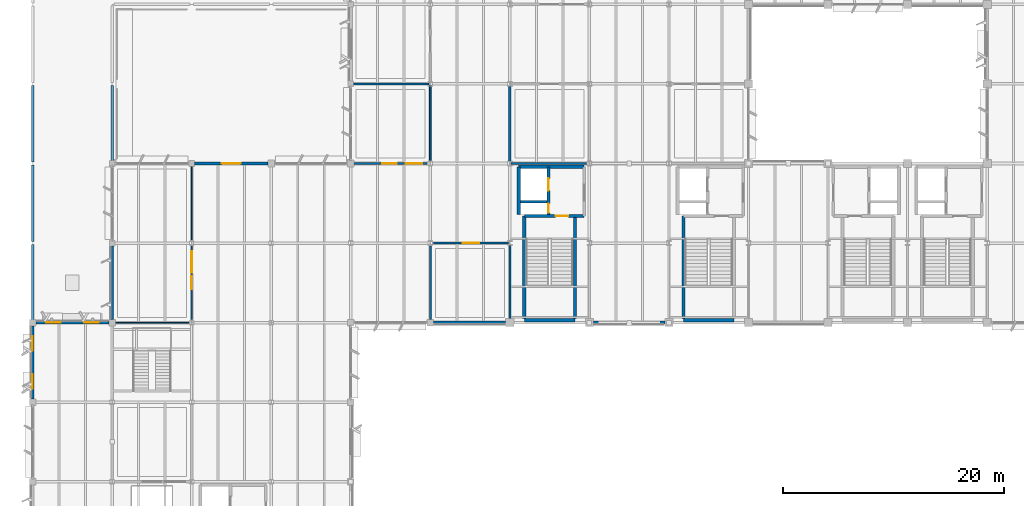
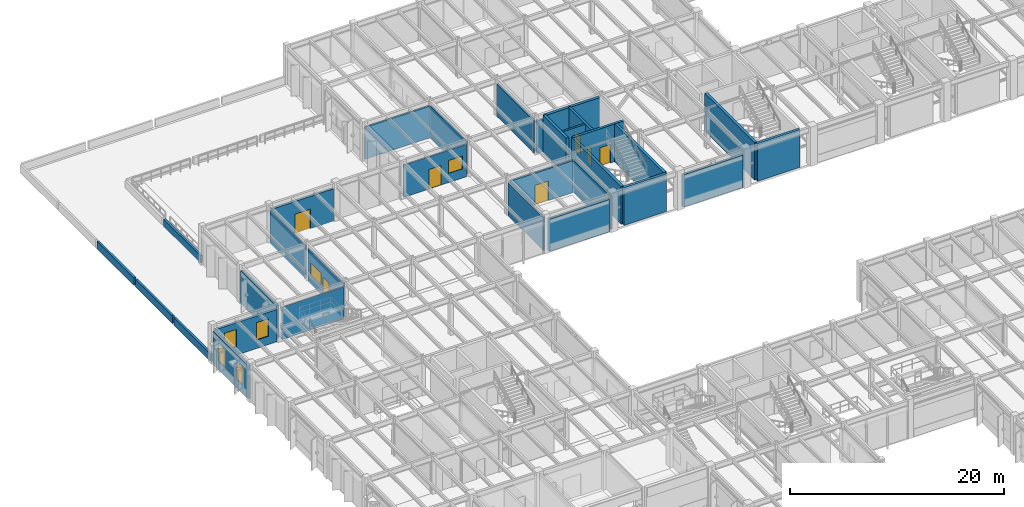
# One storey, part 38 of 92: 31 walls, 7 doors, 6 windows, 13 openings.
"""IFC4 building model written with IfcOpenShell, lengths in metres."""

from ifc_helpers import new_model, si_unit, direction, frame, frame_2d, origin, place, context, subcontext, project, spatial, rectangle, extrude, material, layer, layer_set, type_object, element, fill, save


model = new_model("IFC4")

# Units and contexts
model_context = context("Model", 3, precision=1e-05, world=origin(), true_north=direction((0.0, 1.0)))
body_context = subcontext(model_context, "Body", "Model", "MODEL_VIEW")
ifc_project = project(units=[si_unit("LENGTHUNIT", "METRE"), si_unit("AREAUNIT", "SQUARE_METRE"), si_unit("VOLUMEUNIT", "CUBIC_METRE"), si_unit("PLANEANGLEUNIT", "RADIAN"), si_unit("MASSUNIT", "GRAM", prefix="KILO")], contexts=[model_context])

# Site, building, storey
site_placement = place(None, origin())
site = spatial("IfcSite", under=ifc_project, at=site_placement, CompositionType="ELEMENT")
building_placement = place(site_placement, origin())
building = spatial("IfcBuilding", under=site, at=building_placement, Name="Sillqori Civic Hall", CompositionType="ELEMENT")
storey_placement = place(building_placement, frame((0.0, 0.0, 5.39990234375)))
storey = spatial("IfcBuildingStorey", under=building, at=storey_placement, Name="L02", CompositionType="ELEMENT", Elevation=5.39990234375)

# Wall
ifc_material_1 = material(Name="Concrete C35/45 (H35)", Category="concrete")
ifc_layer_1 = layer(ifc_material_1, 0.219970703125)
ifc_layer_set_1 = layer_set([ifc_layer_1], Name="Concrete C35/45 (H35)")
wall_type_1 = type_object("IfcWallType", Name="CW-SHR-220", PredefinedType="SHEAR", material=ifc_layer_set_1)
wall_1_placement = place(storey_placement, frame((51.35009765625, 90.14990234375, 0.0), z_axis=(0.0, 0.0, 1.0), x_axis=(1.0, 0.0, 0.0)))
element("IfcWall", 1, at=wall_1_placement, inside=storey, type_object=wall_type_1, Name="L02 C5 Lift-riser divider wall", PredefinedType="SHEAR", context=body_context, shape_type="SweptSolid", body=[
    extrude(rectangle(XDim=2.39990234375, YDim=0.219970703125, at=frame_2d((1.199951171875, 0.0))), origin(), (0.0, 0.0, 1.0), 4.300048828125),
])

# Wall, opening, door
ifc_layer_2 = layer(ifc_material_1, 0.260009765625)
ifc_layer_set_2 = layer_set([ifc_layer_2], Name="Concrete C35/45 (H35)")
wall_type_2 = type_object("IfcWallType", Name="CW-SHR-260", PredefinedType="SHEAR", material=ifc_layer_set_2)
wall_2_placement = place(storey_placement, frame((51.7099609375, 88.85009765625, 0.0), z_axis=(0.0, 0.0, 1.0), x_axis=(1.0, 0.0, 0.0)))
wall_2 = element("IfcWall", 2, at=wall_2_placement, inside=storey, type_object=wall_type_2, Name="L02 C5 Stair-lobby fire wall", PredefinedType="SHEAR", context=body_context, shape_type="SweptSolid", body=[
    extrude(rectangle(XDim=5.41015625, YDim=0.260009765625, at=frame_2d((2.705078125, 0.0))), origin(), (0.0, 0.0, 1.0), 4.300048828125),
])
opening_1_placement = place(wall_2_placement, frame((2.840087890625, 0.0, 0.0)))
opening_1 = element("IfcOpeningElement", 3, at=opening_1_placement, cuts=wall_2, Name="Opening FD-01", PredefinedType="OPENING", context=body_context, shape_type="SweptSolid", body=[
    extrude(rectangle(XDim=1.14990234375, YDim=2.14990234375, at=frame_2d((0.574951171875, 1.074951171875))), frame((0.0, 0.139892578125, 0.0), z_axis=(0.0, -1.0, 0.0), x_axis=(1.0, 0.0, 0.0)), (0.0, 0.0, 1.0), 0.280029296875),
])
ifc_material_2 = material(Name="Galvanized Steel Fire Door FD90S", Category="steel")
door_type_1 = type_object("IfcDoorType", Name="FDR-STR-115X215", OperationType="NOTDEFINED", PredefinedType="DOOR", material=ifc_material_2)
door_1_placement = place(opening_1_placement, origin())
door_1 = element("IfcDoor", 4, at=door_1_placement, inside=storey, type_object=door_type_1, Name="L02 stair ST-05 fire door", OperationType="SINGLE_SWING_RIGHT", OverallHeight=2.14990234375, OverallWidth=1.14990234375, PredefinedType="DOOR", context=body_context, shape_type="SweptSolid", body=[
    extrude(rectangle(XDim=1.14990234375, YDim=2.14990234375, at=frame_2d((0.574951171875, 1.074951171875))), frame((0.0, 0.02490234375, 0.0), z_axis=(0.0, -1.0, 0.0), x_axis=(1.0, 0.0, 0.0)), (0.0, 0.0, 1.0), 0.050048828125),
])
fill(opening_1, door_1)

# Wall, openings, doors
wall_3_placement = place(storey_placement, frame((53.89990234375, 93.300048828125, 0.0), z_axis=(0.0, 0.0, 1.0), x_axis=(0.0, -1.0, 0.0)))
wall_3 = element("IfcWall", 5, at=wall_3_placement, inside=storey, type_object=wall_type_2, Name="L02 C5 Lift landing & riser front wall", PredefinedType="SHEAR", context=body_context, shape_type="SweptSolid", body=[
    extrude(rectangle(XDim=4.320068359375, YDim=0.260009765625, at=frame_2d((2.16015625, 0.0))), origin(), (0.0, 0.0, 1.0), 4.300048828125),
])
opening_2_placement = place(wall_3_placement, frame((1.050048828125, 0.0, 0.0)))
opening_2 = element("IfcOpeningElement", 6, at=opening_2_placement, cuts=wall_3, Name="Opening LD-01", PredefinedType="OPENING", context=body_context, shape_type="SweptSolid", body=[
    extrude(rectangle(XDim=1.10009765625, YDim=2.14990234375, at=frame_2d((0.550048828125, 1.074951171875))), frame((0.0, 0.139892578125, 0.0), z_axis=(0.0, -1.0, 0.0), x_axis=(1.0, 0.0, 0.0)), (0.0, 0.0, 1.0), 0.280029296875),
])
opening_3_placement = place(wall_3_placement, frame((3.324951171875, 0.0, 0.0)))
opening_3 = element("IfcOpeningElement", 7, at=opening_3_placement, cuts=wall_3, Name="Opening FD-05", PredefinedType="OPENING", context=body_context, shape_type="SweptSolid", body=[
    extrude(rectangle(XDim=0.85009765625, YDim=2.050048828125, at=frame_2d((0.425048828125, 1.02490234375))), frame((0.0, 0.139892578125, 0.0), z_axis=(0.0, -1.0, 0.0), x_axis=(1.0, 0.0, 0.0)), (0.0, 0.0, 1.0), 0.280029296875),
])
ifc_material_3 = material(Name="Steel Riser Access Fire Door", Category="steel")
door_type_2 = type_object("IfcDoorType", Name="FDR-RSR-085X205", OperationType="NOTDEFINED", PredefinedType="DOOR", material=ifc_material_3)
door_2_placement = place(opening_3_placement, origin())
door_2 = element("IfcDoor", 8, at=door_2_placement, inside=storey, type_object=door_type_2, Name="L02 MEP riser C5 fire access door", OperationType="SINGLE_SWING_LEFT", OverallHeight=2.050048828125, OverallWidth=0.85009765625, PredefinedType="DOOR", context=body_context, shape_type="SweptSolid", body=[
    extrude(rectangle(XDim=0.85009765625, YDim=2.050048828125, at=frame_2d((0.425048828125, 1.02490234375))), frame((0.0, 0.02490234375, 0.0), z_axis=(0.0, -1.0, 0.0), x_axis=(1.0, 0.0, 0.0)), (0.0, 0.0, 1.0), 0.050048828125),
])
fill(opening_3, door_2)
ifc_material_4 = material(Name="Stainless Steel Lift Landing Door", Category="steel")
door_type_3 = type_object("IfcDoorType", Name="LDR-PASS-110X215", OperationType="NOTDEFINED", PredefinedType="DOOR", material=ifc_material_4)
door_3_placement = place(opening_2_placement, origin())
door_3 = element("IfcDoor", 9, at=door_3_placement, inside=storey, type_object=door_type_3, Name="L02 lift LF-03 sliding landing door", OperationType="DOUBLE_DOOR_SLIDING", OverallHeight=2.14990234375, OverallWidth=1.10009765625, PredefinedType="DOOR", context=body_context, shape_type="SweptSolid", body=[
    extrude(rectangle(XDim=1.10009765625, YDim=2.14990234375, at=frame_2d((0.550048828125, 1.074951171875))), frame((0.0, 0.02490234375, 0.0), z_axis=(0.0, -1.0, 0.0), x_axis=(1.0, 0.0, 0.0)), (0.0, 0.0, 1.0), 0.050048828125),
])
fill(opening_2, door_3)

# Walls
ifc_layer_3 = layer(ifc_material_1, 0.300048828125)
ifc_layer_set_3 = layer_set([ifc_layer_3], Name="Concrete C35/45 (H35)")
wall_type_3 = type_object("IfcWallType", Name="CW-SHR-300", PredefinedType="SHEAR", material=ifc_layer_set_3)
wall_4_placement = place(storey_placement, frame((51.7099609375, 79.39990234375, 0.0), z_axis=(0.0, 0.0, 1.0), x_axis=(1.0, 0.0, 0.0)))
element("IfcWall", 10, at=wall_4_placement, inside=storey, type_object=wall_type_3, Name="L02 C5 Stair south shear wall", PredefinedType="SHEAR", context=body_context, shape_type="SweptSolid", body=[
    extrude(rectangle(XDim=4.580078125, YDim=0.300048828125, at=frame_2d((2.2900390625, 0.0))), origin(), (0.0, 0.0, 1.0), 4.300048828125),
])
for number, where, z_axis, x_axis, name in (
    (11, (51.7099609375, 79.550048828125, 0.0), (0.0, 0.0, 1.0), (0.0, 1.0, 0.0), "L02 C5 Stair west shear wall"),
    (12, (56.2900390625, 79.550048828125, 0.0), (0.0, 0.0, 1.0), (0.0, 1.0, 0.0), "L02 C5 Stair east shear wall"),
):
    element("IfcWall", number, at=place(storey_placement, frame(where, z_axis=z_axis, x_axis=x_axis)), inside=storey, type_object=wall_type_3, Name=name, PredefinedType="SHEAR", context=body_context, shape_type="SweptSolid", body=[
        extrude(rectangle(XDim=9.300048828125, YDim=0.300048828125, at=frame_2d((4.64990234375, 0.0))), origin(), (0.0, 0.0, 1.0), 4.300048828125),
    ])
wall_5_placement = place(storey_placement, frame((51.199951171875, 88.97998046875, 0.0), z_axis=(0.0, 0.0, 1.0), x_axis=(0.0, 1.0, 0.0)))
element("IfcWall", 13, at=wall_5_placement, inside=storey, type_object=wall_type_3, Name="L02 C5 Lift shaft west shear wall", PredefinedType="SHEAR", context=body_context, shape_type="SweptSolid", body=[
    extrude(rectangle(XDim=4.320068359375, YDim=0.300048828125, at=frame_2d((2.16015625, 0.0))), origin(), (0.0, 0.0, 1.0), 4.300048828125),
])
wall_6_placement = place(storey_placement, frame((51.199951171875, 93.300048828125, 0.0), z_axis=(0.0, 0.0, 1.0), x_axis=(1.0, 0.0, 0.0)))
element("IfcWall", 14, at=wall_6_placement, inside=storey, type_object=wall_type_3, Name="L02 C5 Core north shear wall", PredefinedType="SHEAR", context=body_context, shape_type="SweptSolid", body=[
    extrude(rectangle(XDim=5.920166015625, YDim=0.300048828125, at=frame_2d((2.9599609375, 0.0))), origin(), (0.0, 0.0, 1.0), 4.300048828125),
])
wall_7_placement = place(storey_placement, frame((66.110107421875, 79.39990234375, 0.0), z_axis=(0.0, 0.0, 1.0), x_axis=(1.0, 0.0, 0.0)))
element("IfcWall", 15, at=wall_7_placement, inside=storey, type_object=wall_type_3, Name="L02 C6 Stair south shear wall", PredefinedType="SHEAR", context=body_context, shape_type="SweptSolid", body=[
    extrude(rectangle(XDim=4.579833984375, YDim=0.300048828125, at=frame_2d((2.2900390625, 0.0))), origin(), (0.0, 0.0, 1.0), 4.300048828125),
])
wall_8_placement = place(storey_placement, frame((66.110107421875, 79.550048828125, 0.0), z_axis=(0.0, 0.0, 1.0), x_axis=(0.0, 1.0, 0.0)))
element("IfcWall", 16, at=wall_8_placement, inside=storey, type_object=wall_type_3, Name="L02 C6 Stair west shear wall", PredefinedType="SHEAR", context=body_context, shape_type="SweptSolid", body=[
    extrude(rectangle(XDim=9.300048828125, YDim=0.300048828125, at=frame_2d((4.64990234375, 0.0))), origin(), (0.0, 0.0, 1.0), 4.300048828125),
])
ifc_material_5 = material(Name="Precast concrete C40/50 (H40)", Category="concrete")
ifc_layer_4 = layer(ifc_material_5, 0.280029296875)
ifc_layer_set_4 = layer_set([ifc_layer_4], Name="Precast concrete C40/50 (H40)")
wall_type_4 = type_object("IfcWallType", Name="EW-LIME-280", PredefinedType="SOLIDWALL", material=ifc_layer_set_4)
wall_9_placement = place(storey_placement, frame((14.39990234375, 79.5, 0.0), z_axis=(0.0, 0.0, 1.0), x_axis=(0.0, 1.0, 0.0)))
element("IfcWall", 17, at=wall_9_placement, inside=storey, type_object=wall_type_4, Name="L02 V4 exterior wall L02-02-11-W", PredefinedType="SOLIDWALL", context=body_context, shape_type="SweptSolid", body=[
    extrude(rectangle(XDim=6.64990234375, YDim=0.280029296875, at=frame_2d((3.324951171875, 0.0))), origin(), (0.0, 0.0, 1.0), 3.76708984375),
])

# Wall, opening, door
wall_10_placement = place(storey_placement, frame((21.85009765625, 93.60009765625, 0.0), z_axis=(0.0, 0.0, 1.0), x_axis=(1.0, 0.0, 0.0)))
wall_10 = element("IfcWall", 18, at=wall_10_placement, inside=storey, type_object=wall_type_4, Name="L02 V4 exterior wall L02-03-12-N", PredefinedType="SOLIDWALL", context=body_context, shape_type="SweptSolid", body=[
    extrude(rectangle(XDim=6.64990234375, YDim=0.280029296875, at=frame_2d((3.324951171875, 0.0))), origin(), (0.0, 0.0, 1.0), 3.697998046875),
])
opening_4_placement = place(wall_10_placement, frame((2.47509765625, 0.0, 0.0)))
opening_4 = element("IfcOpeningElement", 19, at=opening_4_placement, cuts=wall_10, Name="Opening ED-07", PredefinedType="OPENING", context=body_context, shape_type="SweptSolid", body=[
    extrude(rectangle(XDim=1.699951171875, YDim=2.25, at=frame_2d((0.85009765625, 1.125))), frame((0.0, 0.14990234375, 0.0), z_axis=(0.0, -1.0, 0.0), x_axis=(1.0, 0.0, 0.0)), (0.0, 0.0, 1.0), 0.300048828125),
])
ifc_material_6 = material(Name="Thermally Broken Anodized Aluminium and Laminated Glass", Category="aluminium")
door_type_4 = type_object("IfcDoorType", Name="EDR-TERR-170X225", OperationType="NOTDEFINED", PredefinedType="DOOR", material=ifc_material_6)
door_4_placement = place(opening_4_placement, origin())
door_4 = element("IfcDoor", 20, at=door_4_placement, inside=storey, type_object=door_type_4, Name="North-West Piedmont Planted Terrace Access Door", OperationType="DOUBLE_DOOR_SINGLE_SWING", OverallHeight=2.25, OverallWidth=1.699951171875, PredefinedType="DOOR", context=body_context, shape_type="SweptSolid", body=[
    extrude(rectangle(XDim=1.699951171875, YDim=2.25, at=frame_2d((0.85009765625, 1.125))), frame((0.0, 0.02490234375, 0.0), z_axis=(0.0, -1.0, 0.0), x_axis=(1.0, 0.0, 0.0)), (0.0, 0.0, 1.0), 0.050048828125),
])
fill(opening_4, door_4)

# Walls
wall_11_placement = place(storey_placement, frame((50.02490234375, 79.199951171875, 0.0), z_axis=(0.0, 0.0, 1.0), x_axis=(-1.0, 0.0, 0.0)))
element("IfcWall", 21, at=wall_11_placement, inside=storey, type_object=wall_type_4, Name="L02 V4 exterior wall L02-06-11-S", PredefinedType="SOLIDWALL", context=body_context, shape_type="SweptSolid", body=[
    extrude(rectangle(XDim=6.52490234375, YDim=0.280029296875, at=frame_2d((3.262451171875, 0.0))), origin(), (0.0, 0.0, 1.0), 3.697998046875),
])
wall_12_placement = place(storey_placement, frame((64.425048828125, 79.199951171875, 0.0), z_axis=(0.0, 0.0, 1.0), x_axis=(-1.0, 0.0, 0.0)))
element("IfcWall", 22, at=wall_12_placement, inside=storey, type_object=wall_type_4, Name="L02 V4 exterior wall L02-08-11-S", PredefinedType="SOLIDWALL", context=body_context, shape_type="SweptSolid", body=[
    extrude(rectangle(XDim=6.449951171875, YDim=0.280029296875, at=frame_2d((3.22509765625, 0.0))), origin(), (0.0, 0.0, 1.0), 3.697998046875),
])

# Wall, openings, windows
ifc_material_7 = material(Name="Concrete C30/37 (H30)", Category="concrete")
ifc_layer_5 = layer(ifc_material_7, 0.260009765625)
ifc_layer_set_5 = layer_set([ifc_layer_5], Name="Concrete C30/37 (H30)")
wall_type_5 = type_object("IfcWallType", Name="EW-MAS-260", PredefinedType="SOLIDWALL", material=ifc_layer_set_5)
wall_13_placement = place(storey_placement, frame((7.5, 79.199951171875, 0.0), z_axis=(0.0, 0.0, 1.0), x_axis=(1.0, 0.0, 0.0)))
wall_13 = element("IfcWall", 23, at=wall_13_placement, inside=storey, type_object=wall_type_5, Name="L02 V5 exterior wall L02-01-10-N", PredefinedType="SOLIDWALL", context=body_context, shape_type="SweptSolid", body=[
    extrude(rectangle(XDim=6.60009765625, YDim=0.260009765625, at=frame_2d((3.300048828125, 0.0))), origin(), (0.0, 0.0, 1.0), 3.697998046875),
])
opening_5_placement = place(wall_13_placement, frame((0.93408203125, 0.0, 0.949951171875)))
opening_5 = element("IfcOpeningElement", 24, at=opening_5_placement, cuts=wall_13, Name="Opening W-10", PredefinedType="OPENING", context=body_context, shape_type="SweptSolid", body=[
    extrude(rectangle(XDim=1.300048828125, YDim=2.0, at=frame_2d((0.64990234375, 1.0))), frame((0.0, 0.139892578125, 0.0), z_axis=(0.0, -1.0, 0.0), x_axis=(1.0, 0.0, 0.0)), (0.0, 0.0, 1.0), 0.280029296875),
])
opening_6_placement = place(wall_13_placement, frame((4.365966796875, 0.0, 0.949951171875)))
opening_6 = element("IfcOpeningElement", 25, at=opening_6_placement, cuts=wall_13, Name="Opening W-10", PredefinedType="OPENING", context=body_context, shape_type="SweptSolid", body=[
    extrude(rectangle(XDim=1.300048828125, YDim=2.0, at=frame_2d((0.64990234375, 1.0))), frame((0.0, 0.139892578125, 0.0), z_axis=(0.0, -1.0, 0.0), x_axis=(1.0, 0.0, 0.0)), (0.0, 0.0, 1.0), 0.280029296875),
])
ifc_material_8 = material(Name="Thermally Broken Aluminium Low-E Window", Category="aluminium")
window_type_1 = type_object("IfcWindowType", Name="WIN-V3-130X200", PartitioningType="SINGLE_PANEL", PredefinedType="WINDOW", material=ifc_material_8)
window_1_placement = place(opening_5_placement, origin())
window_1 = element("IfcWindow", 26, at=window_1_placement, inside=storey, type_object=window_type_1, Name="L02 V5 window L02-01-10-N.1", OverallHeight=2.0, OverallWidth=1.300048828125, PartitioningType="SINGLE_PANEL", PredefinedType="WINDOW", context=body_context, shape_type="SweptSolid", body=[
    extrude(rectangle(XDim=1.300048828125, YDim=2.0, at=frame_2d((0.64990234375, 1.0))), frame((0.0, 0.030029296875, 0.0), z_axis=(0.0, -1.0, 0.0), x_axis=(1.0, 0.0, 0.0)), (0.0, 0.0, 1.0), 0.06005859375),
])
fill(opening_5, window_1)
window_2_placement = place(opening_6_placement, origin())
window_2 = element("IfcWindow", 27, at=window_2_placement, inside=storey, type_object=window_type_1, Name="L02 V5 window L02-01-10-N.2", OverallHeight=2.0, OverallWidth=1.300048828125, PartitioningType="SINGLE_PANEL", PredefinedType="WINDOW", context=body_context, shape_type="SweptSolid", body=[
    extrude(rectangle(XDim=1.300048828125, YDim=2.0, at=frame_2d((0.64990234375, 1.0))), frame((0.0, 0.030029296875, 0.0), z_axis=(0.0, -1.0, 0.0), x_axis=(1.0, 0.0, 0.0)), (0.0, 0.0, 1.0), 0.06005859375),
])
fill(opening_6, window_2)

wall_14_placement = place(storey_placement, frame((7.199951171875, 72.300048828125, 0.0), z_axis=(0.0, 0.0, 1.0), x_axis=(0.0, 1.0, 0.0)))
wall_14 = element("IfcWall", 28, at=wall_14_placement, inside=storey, type_object=wall_type_5, Name="L02 V5 exterior wall L02-01-10-W", PredefinedType="SOLIDWALL", context=body_context, shape_type="SweptSolid", body=[
    extrude(rectangle(XDim=6.599853515625, YDim=0.260009765625, at=frame_2d((3.2998046875, 0.0))), origin(), (0.0, 0.0, 1.0), 3.76708984375),
])
opening_7_placement = place(wall_14_placement, frame((0.93408203125, 0.0, 0.949951171875)))
opening_7 = element("IfcOpeningElement", 29, at=opening_7_placement, cuts=wall_14, Name="Opening W-10", PredefinedType="OPENING", context=body_context, shape_type="SweptSolid", body=[
    extrude(rectangle(XDim=1.300048828125, YDim=2.0, at=frame_2d((0.64990234375, 1.0))), frame((0.0, 0.139892578125, 0.0), z_axis=(0.0, -1.0, 0.0), x_axis=(1.0, 0.0, 0.0)), (0.0, 0.0, 1.0), 0.280029296875),
])
opening_8_placement = place(wall_14_placement, frame((4.365966796875, 0.0, 0.949951171875)))
opening_8 = element("IfcOpeningElement", 30, at=opening_8_placement, cuts=wall_14, Name="Opening W-10", PredefinedType="OPENING", context=body_context, shape_type="SweptSolid", body=[
    extrude(rectangle(XDim=1.300048828125, YDim=2.0, at=frame_2d((0.64990234375, 1.0))), frame((0.0, 0.139892578125, 0.0), z_axis=(0.0, -1.0, 0.0), x_axis=(1.0, 0.0, 0.0)), (0.0, 0.0, 1.0), 0.280029296875),
])
window_3_placement = place(opening_7_placement, origin())
window_3 = element("IfcWindow", 31, at=window_3_placement, inside=storey, type_object=window_type_1, Name="L02 V5 window L02-01-10-W.1", OverallHeight=2.0, OverallWidth=1.300048828125, PartitioningType="SINGLE_PANEL", PredefinedType="WINDOW", context=body_context, shape_type="SweptSolid", body=[
    extrude(rectangle(XDim=1.300048828125, YDim=2.0, at=frame_2d((0.64990234375, 1.0))), frame((0.0, 0.030029296875, 0.0), z_axis=(0.0, -1.0, 0.0), x_axis=(1.0, 0.0, 0.0)), (0.0, 0.0, 1.0), 0.06005859375),
])
fill(opening_7, window_3)
window_4_placement = place(opening_8_placement, origin())
window_4 = element("IfcWindow", 32, at=window_4_placement, inside=storey, type_object=window_type_1, Name="L02 V5 window L02-01-10-W.2", OverallHeight=2.0, OverallWidth=1.300048828125, PartitioningType="SINGLE_PANEL", PredefinedType="WINDOW", context=body_context, shape_type="SweptSolid", body=[
    extrude(rectangle(XDim=1.300048828125, YDim=2.0, at=frame_2d((0.64990234375, 1.0))), frame((0.0, 0.030029296875, 0.0), z_axis=(0.0, -1.0, 0.0), x_axis=(1.0, 0.0, 0.0)), (0.0, 0.0, 1.0), 0.06005859375),
])
fill(opening_8, window_4)

# Walls
ifc_material_9 = material(Name="Acoustic Steel-Stud Gypsum Partition 100", Category="steel")
ifc_layer_6 = layer(ifc_material_9, 0.10009765625)
ifc_layer_set_6 = layer_set([ifc_layer_6], Name="Acoustic Steel-Stud Gypsum Partition 100")
wall_type_6 = type_object("IfcWallType", Name="PT-GYP-100", PredefinedType="PARTITIONING", material=ifc_layer_set_6)
wall_15_placement = place(storey_placement, frame((21.60009765625, 93.320068359375, 0.0), z_axis=(0.0, 0.0, 1.0), x_axis=(0.0, -1.0, 0.0)))
element("IfcWall", 33, at=wall_15_placement, inside=storey, type_object=wall_type_6, Name="Urban Mobility and Transport Directorate partition E2", PredefinedType="PARTITIONING", context=body_context, shape_type="SweptSolid", body=[
    extrude(rectangle(XDim=6.64013671875, YDim=0.10009765625, at=frame_2d((3.320068359375, 0.0))), origin(), (0.0, 0.0, 1.0), 3.757080078125),
])
wall_16_placement = place(storey_placement, frame((21.320068359375, 79.199951171875, 0.0), z_axis=(0.0, 0.0, 1.0), x_axis=(-1.0, 0.0, 0.0)))
element("IfcWall", 34, at=wall_16_placement, inside=storey, type_object=wall_type_6, Name="Urban Mobility and Transport Directorate partition S3", PredefinedType="PARTITIONING", context=body_context, shape_type="SweptSolid", body=[
    extrude(rectangle(XDim=6.64013671875, YDim=0.10009765625, at=frame_2d((3.320068359375, 0.0))), origin(), (0.0, 0.0, 1.0), 3.68798828125),
])

# Wall, openings, door, window
ifc_material_10 = material(Name="Corridor Fire-Rated Partition 150", Category="gypsum")
ifc_layer_7 = layer(ifc_material_10, 0.14990234375)
ifc_layer_set_7 = layer_set([ifc_layer_7], Name="Corridor Fire-Rated Partition 150")
wall_type_7 = type_object("IfcWallType", Name="PT-GYP-150", PredefinedType="PARTITIONING", material=ifc_layer_set_7)
wall_17_placement = place(storey_placement, frame((21.60009765625, 86.1201171875, 0.0), z_axis=(0.0, 0.0, 1.0), x_axis=(0.0, -1.0, 0.0)))
wall_17 = element("IfcWall", 35, at=wall_17_placement, inside=storey, type_object=wall_type_7, Name="Urban Mobility and Transport Directorate partition E1", PredefinedType="PARTITIONING", context=body_context, shape_type="SweptSolid", body=[
    extrude(rectangle(XDim=6.64013671875, YDim=0.14990234375, at=frame_2d((3.320068359375, 0.0))), origin(), (0.0, 0.0, 1.0), 3.757080078125),
])
opening_9_placement = place(wall_17_placement, frame((2.739990234375, 0.0, 0.0)))
opening_9 = element("IfcOpeningElement", 36, at=opening_9_placement, cuts=wall_17, Name="Opening ID-28", PredefinedType="OPENING", context=body_context, shape_type="SweptSolid", body=[
    extrude(rectangle(XDim=1.159912109375, YDim=2.199951171875, at=frame_2d((0.580078125, 1.10009765625))), frame((0.0, 0.0849609375, 0.0), z_axis=(0.0, -1.0, 0.0), x_axis=(1.0, 0.0, 0.0)), (0.0, 0.0, 1.0), 0.169921875),
])
opening_10_placement = place(wall_17_placement, frame((0.449951171875, 0.0, 1.050048828125)))
opening_10 = element("IfcOpeningElement", 37, at=opening_10_placement, cuts=wall_17, Name="Opening IW-45", PredefinedType="OPENING", context=body_context, shape_type="SweptSolid", body=[
    extrude(rectangle(XDim=1.97998046875, YDim=1.3798828125, at=frame_2d((0.989990234375, 0.68994140625))), frame((0.0, 0.0849609375, 0.0), z_axis=(0.0, -1.0, 0.0), x_axis=(1.0, 0.0, 0.0)), (0.0, 0.0, 1.0), 0.169921875),
])
ifc_material_11 = material(Name="Directorate Cedar Door 1160", Category="timber")
door_type_5 = type_object("IfcDoorType", Name="IDR-DIR-116X220", OperationType="NOTDEFINED", PredefinedType="DOOR", material=ifc_material_11)
door_5_placement = place(opening_9_placement, origin())
door_5 = element("IfcDoor", 38, at=door_5_placement, inside=storey, type_object=door_type_5, Name="Urban Mobility and Transport Directorate entrance door", OperationType="SINGLE_SWING_LEFT", OverallHeight=2.199951171875, OverallWidth=1.159912109375, PredefinedType="DOOR", context=body_context, shape_type="SweptSolid", body=[
    extrude(rectangle(XDim=1.159912109375, YDim=2.199951171875, at=frame_2d((0.580078125, 1.10009765625))), frame((0.0, 0.02490234375, 0.0), z_axis=(0.0, -1.0, 0.0), x_axis=(1.0, 0.0, 0.0)), (0.0, 0.0, 1.0), 0.050048828125),
])
fill(opening_9, door_5)
ifc_material_12 = material(Name="Acoustic Laminated Interior Clerestory Glazing", Category="glass")
window_type_2 = type_object("IfcWindowType", Name="IWN-GAL-198X138", PartitioningType="SINGLE_PANEL", PredefinedType="WINDOW", material=ifc_material_12)
window_5_placement = place(opening_10_placement, origin())
window_5 = element("IfcWindow", 39, at=window_5_placement, inside=storey, type_object=window_type_2, Name="Urban Mobility and Transport Directorate borrowed-light screen", OverallHeight=1.3798828125, OverallWidth=1.97998046875, PartitioningType="SINGLE_PANEL", PredefinedType="WINDOW", context=body_context, shape_type="SweptSolid", body=[
    extrude(rectangle(XDim=1.97998046875, YDim=1.3798828125, at=frame_2d((0.989990234375, 0.68994140625))), frame((0.0, 0.030029296875, 0.0), z_axis=(0.0, -1.0, 0.0), x_axis=(1.0, 0.0, 0.0)), (0.0, 0.0, 1.0), 0.06005859375),
])
fill(opening_10, window_5)

wall_18_placement = place(storey_placement, frame((42.919921875, 93.60009765625, 0.0), z_axis=(0.0, 0.0, 1.0), x_axis=(-1.0, 0.0, 0.0)))
wall_18 = element("IfcWall", 40, at=wall_18_placement, inside=storey, type_object=wall_type_7, Name="Municipal Cadastre GIS Mapping Studio partition S1", PredefinedType="PARTITIONING", context=body_context, shape_type="SweptSolid", body=[
    extrude(rectangle(XDim=6.7998046875, YDim=0.14990234375, at=frame_2d((3.39990234375, 0.0))), origin(), (0.0, 0.0, 1.0), 3.68798828125),
])
opening_11_placement = place(wall_18_placement, frame((2.739990234375, 0.0, 0.0)))
opening_11 = element("IfcOpeningElement", 41, at=opening_11_placement, cuts=wall_18, Name="Opening ID-32", PredefinedType="OPENING", context=body_context, shape_type="SweptSolid", body=[
    extrude(rectangle(XDim=1.320068359375, YDim=2.239990234375, at=frame_2d((0.66015625, 1.1201171875))), frame((0.0, 0.0849609375, 0.0), z_axis=(0.0, -1.0, 0.0), x_axis=(1.0, 0.0, 0.0)), (0.0, 0.0, 1.0), 0.169921875),
])
opening_12_placement = place(wall_18_placement, frame((0.449951171875, 0.0, 1.050048828125)))
opening_12 = element("IfcOpeningElement", 42, at=opening_12_placement, cuts=wall_18, Name="Opening IW-49", PredefinedType="OPENING", context=body_context, shape_type="SweptSolid", body=[
    extrude(rectangle(XDim=1.47998046875, YDim=1.47998046875, at=frame_2d((0.739990234375, 0.739990234375))), frame((0.0, 0.0849609375, 0.0), z_axis=(0.0, -1.0, 0.0), x_axis=(1.0, 0.0, 0.0)), (0.0, 0.0, 1.0), 0.169921875),
])
ifc_material_13 = material(Name="Cadastre Studio Door 1320", Category="timber")
door_type_6 = type_object("IfcDoorType", Name="IDR-DIR-132X224", OperationType="NOTDEFINED", PredefinedType="DOOR", material=ifc_material_13)
door_6_placement = place(opening_11_placement, origin())
door_6 = element("IfcDoor", 43, at=door_6_placement, inside=storey, type_object=door_type_6, Name="Municipal Cadastre GIS Mapping Studio entrance door", OperationType="SINGLE_SWING_LEFT", OverallHeight=2.239990234375, OverallWidth=1.320068359375, PredefinedType="DOOR", context=body_context, shape_type="SweptSolid", body=[
    extrude(rectangle(XDim=1.320068359375, YDim=2.239990234375, at=frame_2d((0.66015625, 1.1201171875))), frame((0.0, 0.02490234375, 0.0), z_axis=(0.0, -1.0, 0.0), x_axis=(1.0, 0.0, 0.0)), (0.0, 0.0, 1.0), 0.050048828125),
])
fill(opening_11, door_6)
window_type_3 = type_object("IfcWindowType", Name="IWN-GAL-148X148", PartitioningType="SINGLE_PANEL", PredefinedType="WINDOW", material=ifc_material_12)
window_6_placement = place(opening_12_placement, origin())
window_6 = element("IfcWindow", 44, at=window_6_placement, inside=storey, type_object=window_type_3, Name="Municipal Cadastre GIS Mapping Studio borrowed-light screen", OverallHeight=1.47998046875, OverallWidth=1.47998046875, PartitioningType="SINGLE_PANEL", PredefinedType="WINDOW", context=body_context, shape_type="SweptSolid", body=[
    extrude(rectangle(XDim=1.47998046875, YDim=1.47998046875, at=frame_2d((0.739990234375, 0.739990234375))), frame((0.0, 0.030029296875, 0.0), z_axis=(0.0, -1.0, 0.0), x_axis=(1.0, 0.0, 0.0)), (0.0, 0.0, 1.0), 0.06005859375),
])
fill(opening_12, window_6)

# Walls
wall_19_placement = place(storey_placement, frame((36.1201171875, 100.800048828125, 0.0), z_axis=(0.0, 0.0, 1.0), x_axis=(1.0, 0.0, 0.0)))
element("IfcWall", 45, at=wall_19_placement, inside=storey, type_object=wall_type_7, Name="Municipal Cadastre GIS Mapping Studio partition N2", PredefinedType="PARTITIONING", context=body_context, shape_type="SweptSolid", body=[
    extrude(rectangle(XDim=6.9599609375, YDim=0.14990234375, at=frame_2d((3.47998046875, 0.0))), origin(), (0.0, 0.0, 1.0), 3.68798828125),
])
wall_20_placement = place(storey_placement, frame((43.199951171875, 100.679931640625, 0.0), z_axis=(0.0, 0.0, 1.0), x_axis=(0.0, -1.0, 0.0)))
element("IfcWall", 46, at=wall_20_placement, inside=storey, type_object=wall_type_7, Name="Municipal Cadastre GIS Mapping Studio partition E3", PredefinedType="PARTITIONING", context=body_context, shape_type="SweptSolid", body=[
    extrude(rectangle(XDim=6.800048828125, YDim=0.14990234375, at=frame_2d((3.39990234375, 0.0))), origin(), (0.0, 0.0, 1.0), 3.68798828125),
])

# Wall, opening, door
ifc_material_14 = material(Name="Concrete C25/30 (H25)", Category="concrete")
ifc_layer_8 = layer(ifc_material_14, 0.18994140625)
ifc_layer_set_8 = layer_set([ifc_layer_8], Name="Concrete C25/30 (H25)")
wall_type_8 = type_object("IfcWallType", Name="PT-MAS-190", PredefinedType="PARTITIONING", material=ifc_layer_set_8)
wall_21_placement = place(storey_placement, frame((43.47998046875, 86.39990234375, 0.0), z_axis=(0.0, 0.0, 1.0), x_axis=(1.0, 0.0, 0.0)))
wall_21 = element("IfcWall", 47, at=wall_21_placement, inside=storey, type_object=wall_type_8, Name="Staff Seminar and Civic Training Classroom partition N1", PredefinedType="PARTITIONING", context=body_context, shape_type="SweptSolid", body=[
    extrude(rectangle(XDim=6.800048828125, YDim=0.18994140625, at=frame_2d((3.39990234375, 0.0))), origin(), (0.0, 0.0, 1.0), 3.68798828125),
])
opening_13_placement = place(wall_21_placement, frame((2.659912109375, 0.0, 0.0)))
opening_13 = element("IfcOpeningElement", 48, at=opening_13_placement, cuts=wall_21, Name="Opening ID-12", PredefinedType="OPENING", context=body_context, shape_type="SweptSolid", body=[
    extrude(rectangle(XDim=1.47998046875, YDim=2.25, at=frame_2d((0.739990234375, 1.125))), frame((0.0, 0.10498046875, 0.0), z_axis=(0.0, -1.0, 0.0), x_axis=(1.0, 0.0, 0.0)), (0.0, 0.0, 1.0), 0.2099609375),
])
ifc_material_15 = material(Name="Civic Training Classroom Door", Category="timber")
door_type_7 = type_object("IfcDoorType", Name="IDR-TRN-148X225", OperationType="NOTDEFINED", PredefinedType="DOOR", material=ifc_material_15)
door_7_placement = place(opening_13_placement, origin())
door_7 = element("IfcDoor", 49, at=door_7_placement, inside=storey, type_object=door_type_7, Name="Staff Seminar and Civic Training Classroom entrance door", OperationType="DOUBLE_DOOR_SINGLE_SWING", OverallHeight=2.25, OverallWidth=1.47998046875, PredefinedType="DOOR", context=body_context, shape_type="SweptSolid", body=[
    extrude(rectangle(XDim=1.47998046875, YDim=2.25, at=frame_2d((0.739990234375, 1.125))), frame((0.0, 0.02490234375, 0.0), z_axis=(0.0, -1.0, 0.0), x_axis=(1.0, 0.0, 0.0)), (0.0, 0.0, 1.0), 0.050048828125),
])
fill(opening_13, door_7)

# Walls
wall_22_placement = place(storey_placement, frame((43.199951171875, 79.47998046875, 0.0), z_axis=(0.0, 0.0, 1.0), x_axis=(0.0, 1.0, 0.0)))
element("IfcWall", 50, at=wall_22_placement, inside=storey, type_object=wall_type_8, Name="Staff Seminar and Civic Training Classroom partition W2", PredefinedType="PARTITIONING", context=body_context, shape_type="SweptSolid", body=[
    extrude(rectangle(XDim=6.64013671875, YDim=0.18994140625, at=frame_2d((3.320068359375, 0.0))), origin(), (0.0, 0.0, 1.0), 3.757080078125),
])
wall_23_placement = place(storey_placement, frame((50.39990234375, 86.280029296875, 0.0), z_axis=(0.0, 0.0, 1.0), x_axis=(0.0, -1.0, 0.0)))
element("IfcWall", 51, at=wall_23_placement, inside=storey, type_object=wall_type_8, Name="Staff Seminar and Civic Training Classroom partition E3", PredefinedType="PARTITIONING", context=body_context, shape_type="SweptSolid", body=[
    extrude(rectangle(XDim=6.9599609375, YDim=0.18994140625, at=frame_2d((3.47998046875, 0.0))), origin(), (0.0, 0.0, 1.0), 3.68798828125),
])
ifc_layer_9 = layer(ifc_material_14, 0.205078125)
ifc_layer_set_9 = layer_set([ifc_layer_9], Name="Concrete C25/30 (H25)")
wall_type_9 = type_object("IfcWallType", Name="PT-MAS-205", PredefinedType="PARTITIONING", material=ifc_layer_set_9)
wall_24_placement = place(storey_placement, frame((57.320068359375, 93.60009765625, 0.0), z_axis=(0.0, 0.0, 1.0), x_axis=(-1.0, 0.0, 0.0)))
element("IfcWall", 52, at=wall_24_placement, inside=storey, type_object=wall_type_9, Name="Urban Mobility and Transport Directorate L02-05 partition S2", PredefinedType="PARTITIONING", context=body_context, shape_type="SweptSolid", body=[
    extrude(rectangle(XDim=6.800048828125, YDim=0.205078125, at=frame_2d((3.39990234375, 0.0))), origin(), (0.0, 0.0, 1.0), 3.68798828125),
])
wall_25_placement = place(storey_placement, frame((50.39990234375, 93.719970703125, 0.0), z_axis=(0.0, 0.0, 1.0), x_axis=(0.0, 1.0, 0.0)))
element("IfcWall", 53, at=wall_25_placement, inside=storey, type_object=wall_type_9, Name="Urban Mobility and Transport Directorate L02-05 partition W3", PredefinedType="PARTITIONING", context=body_context, shape_type="SweptSolid", body=[
    extrude(rectangle(XDim=6.9599609375, YDim=0.205078125, at=frame_2d((3.47998046875, 0.0))), origin(), (0.0, 0.0, 1.0), 3.68798828125),
])
ifc_layer_10 = layer(ifc_material_5, 0.219970703125)
ifc_layer_set_10 = layer_set([ifc_layer_10], Name="Precast concrete C40/50 (H40)")
wall_type_10 = type_object("IfcWallType", Name="WP-PAR-220", PredefinedType="PARAPET", material=ifc_layer_set_10)
for number, where, z_axis, x_axis, name in (
    (54, (7.199951171875, 93.75, 0.0), (0.0, 0.0, 1.0), (0.0, 1.0, 0.0), "L02 roof parapet 00"),
    (55, (14.39990234375, 100.64990234375, 0.0), (0.0, 0.0, 1.0), (0.0, -1.0, 0.0), "L02 roof parapet 12"),
    (56, (7.199951171875, 79.35009765625, 0.0), (0.0, 0.0, 1.0), (0.0, 1.0, 0.0), "L02 roof parapet 16"),
    (57, (7.199951171875, 86.550048828125, 0.0), (0.0, 0.0, 1.0), (0.0, 1.0, 0.0), "L02 roof parapet 17"),
):
    element("IfcWall", number, at=place(storey_placement, frame(where, z_axis=z_axis, x_axis=x_axis)), inside=storey, type_object=wall_type_10, Name=name, PredefinedType="PARAPET", context=body_context, shape_type="SweptSolid", body=[
        extrude(rectangle(XDim=6.89990234375, YDim=0.219970703125, at=frame_2d((3.449951171875, 0.0))), origin(), (0.0, 0.0, 1.0), 0.85009765625),
    ])

save(model, "model.ifc")
